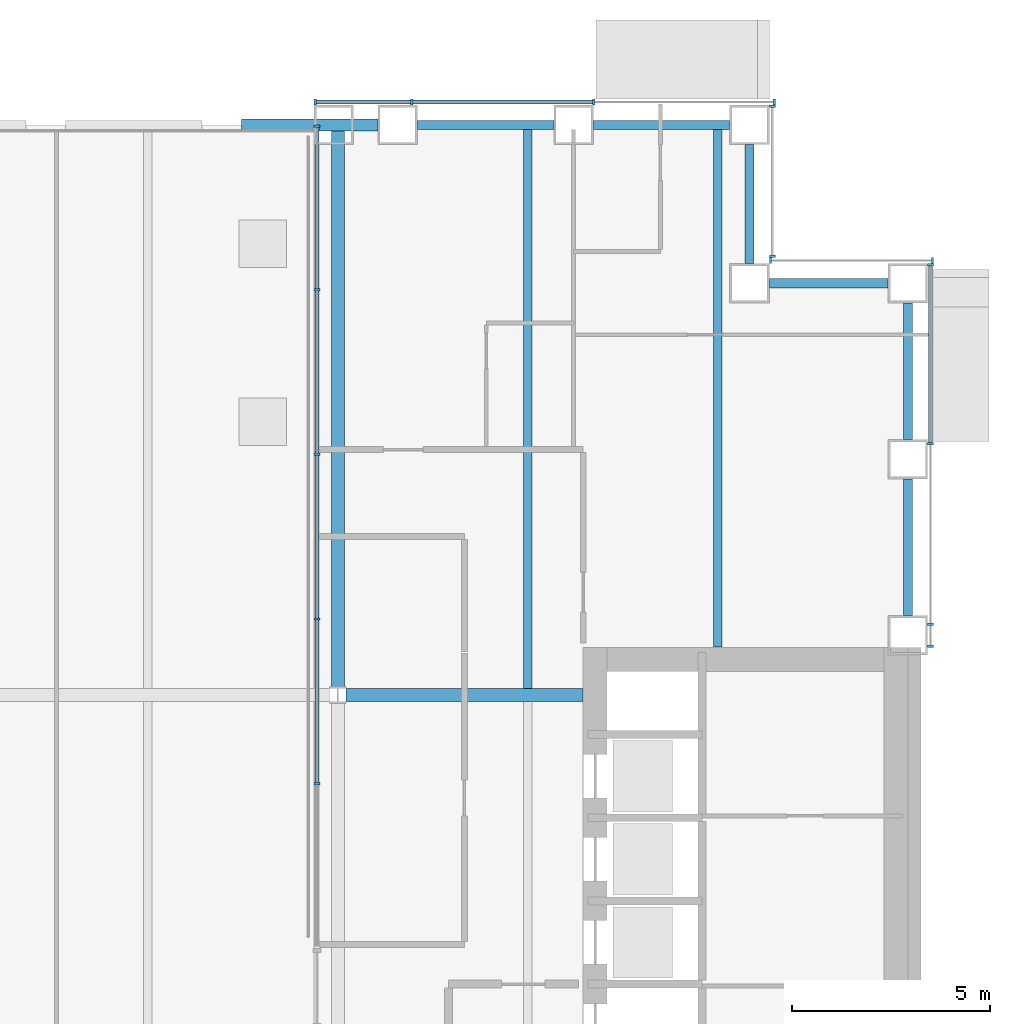
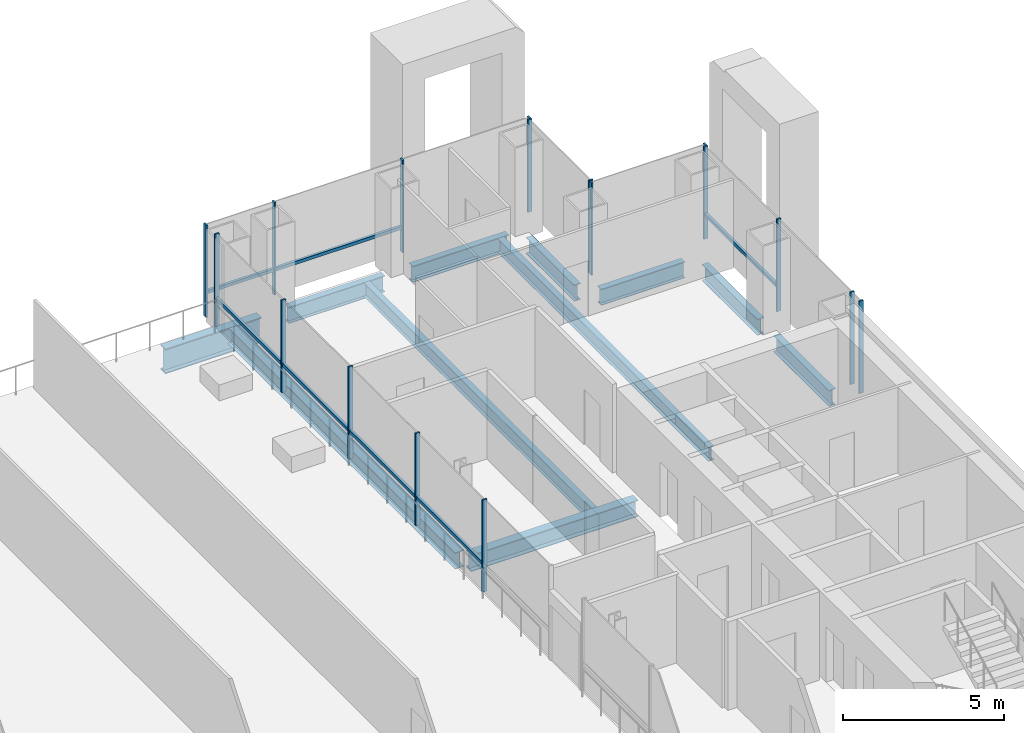
# One storey, part 10 of 24: 24 members, 11 beams, 5 elements without a shape of their own.
"""IFC4 building model written with IfcOpenShell, lengths in metres."""

import ifcopenshell
import ifcopenshell.guid

model = None  # the IFC model being written
_history = None  # IfcOwnerHistory: only IFC2X3 demands one
_inside = {}  # id of a spatial element -> (the spatial element, [elements in it])
_under = {}  # id of a project, library or spatial element -> (it, [spatial elements below it])
_declared = {}  # id of a project -> (the project, [libraries it declares])
_typed = {}  # id of a type object -> (the type object, [elements of that type])
_made_of = {}  # id of a material, layer set ... -> (it, [elements and type objects made of it])


def new_model(schema):
    """Start an empty IFC model of exactly this schema.

    Asked for "IFC4X3", IfcOpenShell would pick the latest addendum, in which some entities
    have other attributes; the version numbers below select the first issue.
    IFC2X3 requires an IfcOwnerHistory on every rooted entity: one is made here for all.
    """
    global model, _history
    if schema == "IFC4X3":
        model = ifcopenshell.file(schema_version=(4, 3, 0, 0))
    else:
        model = ifcopenshell.file(schema=schema)
    _inside.clear()
    _under.clear()
    _declared.clear()
    _typed.clear()
    _made_of.clear()
    _history = None
    if model.schema == "IFC2X3":
        org = make("IfcOrganization", Name="unknown")
        user = make(
            "IfcPersonAndOrganization",
            ThePerson=make("IfcPerson", FamilyName="unknown"),
            TheOrganization=org,
        )
        app = make(
            "IfcApplication",
            ApplicationDeveloper=org,
            Version="unknown",
            ApplicationFullName="unknown",
            ApplicationIdentifier="unknown",
        )
        _history = make(
            "IfcOwnerHistory",
            OwningUser=user,
            OwningApplication=app,
            ChangeAction="ADDED",
            CreationDate=0,
        )
    return model


def make(cls, **values):
    """One entity of the class cls with the attributes given. An attribute that is None is left unset."""
    return model.create_entity(
        cls, **{name: value for name, value in values.items() if value is not None}
    )


def rooted(cls, **values):
    """An entity with a GlobalId (a new one), such as an element, a storey or a relation."""
    return make(cls, GlobalId=ifcopenshell.guid.new(), OwnerHistory=_history, **values)


def si_unit(unit_type, name, prefix=None):
    """IfcSIUnit, for example si_unit("LENGTHUNIT", "METRE", prefix="MILLI")."""
    return make("IfcSIUnit", UnitType=unit_type, Prefix=prefix, Name=name)


def assignment(units):
    """IfcUnitAssignment: the units of a project."""
    return None if units is None else make("IfcUnitAssignment", Units=units)


def point(xyz):
    """IfcCartesianPoint."""
    return None if xyz is None else make("IfcCartesianPoint", Coordinates=xyz)


def direction(xyz):
    """IfcDirection."""
    return None if xyz is None else make("IfcDirection", DirectionRatios=xyz)


def frame(location, z_axis=None, x_axis=None):
    """IfcAxis2Placement3D, a coordinate frame: its origin and axes. An axis left out is left unset."""
    return make(
        "IfcAxis2Placement3D",
        Location=point(location),
        Axis=direction(z_axis),
        RefDirection=direction(x_axis),
    )


def frame_2d(location, x_axis=None):
    """IfcAxis2Placement2D, a coordinate frame in the plane: its origin and x axis."""
    return make(
        "IfcAxis2Placement2D", Location=point(location), RefDirection=direction(x_axis)
    )


def origin():
    """The frame at (0, 0, 0) with its axes left unset."""
    return frame((0.0, 0.0, 0.0))


def origin_2d():
    """The frame at (0, 0) in the plane with its x axis left unset."""
    return frame_2d((0.0, 0.0))


def place(relative_to, where):
    """IfcLocalPlacement: puts the frame where relative to a parent placement (None: the world)."""
    return make(
        "IfcLocalPlacement", PlacementRelTo=relative_to, RelativePlacement=where
    )


def context(
    kind, dimensions, precision=None, world=None, true_north=None, identifier=None
):
    """IfcGeometricRepresentationContext, for example the 3D "Model" context."""
    return make(
        "IfcGeometricRepresentationContext",
        ContextIdentifier=identifier,
        ContextType=kind,
        CoordinateSpaceDimension=dimensions,
        Precision=precision,
        WorldCoordinateSystem=world,
        TrueNorth=true_north,
    )


def subcontext(parent, identifier, kind, view, scale=None):
    """IfcGeometricRepresentationSubContext, for example "Body" below "Model"."""
    return make(
        "IfcGeometricRepresentationSubContext",
        ContextIdentifier=identifier,
        ContextType=kind,
        ParentContext=parent,
        TargetScale=scale,
        TargetView=view,
    )


def project(units=None, contexts=None):
    """IfcProject with its units and contexts."""
    return rooted(
        "IfcProject",
        Name="project",
        RepresentationContexts=contexts,
        UnitsInContext=assignment(units),
    )


def spatial(cls, under=None, at=None, **own):
    """A site, building, storey or space (cls), placed at a placement, below another one or the project."""
    s = rooted(cls, ObjectPlacement=at, **own)
    if under is not None:
        _under.setdefault(under.id(), (under, []))[1].append(s)
    return s


def profile(cls, at=None, kind="AREA", **sizes):
    """A parametric profile (cls). Its sizes go by their IFC names, for example OverallWidth=200.0."""
    return make(cls, ProfileType=kind, Position=at, **sizes)


def rectangle(**sizes):
    """IfcRectangleProfileDef."""
    return profile("IfcRectangleProfileDef", **sizes)


def i_section(**sizes):
    """IfcIShapeProfileDef."""
    return profile("IfcIShapeProfileDef", **sizes)


def extrude(swept, where, along, depth):
    """IfcExtrudedAreaSolid: the profile swept, set in the frame where, extruded along a direction by depth."""
    return make(
        "IfcExtrudedAreaSolid",
        SweptArea=swept,
        Position=where,
        ExtrudedDirection=direction(along),
        Depth=depth,
    )


def shape(context_of_items, identifier, shape_type, items):
    """IfcShapeRepresentation: the items that make up one representation, for example the "Body"."""
    return make(
        "IfcShapeRepresentation",
        ContextOfItems=context_of_items,
        RepresentationIdentifier=identifier,
        RepresentationType=shape_type,
        Items=items,
    )


def material(Name=None, Category=None):
    """IfcMaterial."""
    return make("IfcMaterial", Name=Name, Category=Category)


def material_profile(
    of_material, cross_section, Name=None, Category=None, Priority=None
):
    """IfcMaterialProfile: a cross section and its material."""
    return make(
        "IfcMaterialProfile",
        Name=Name,
        Material=of_material,
        Profile=cross_section,
        Priority=Priority,
        Category=Category,
    )


def profile_set(profiles, Name=None, composite=None):
    """IfcMaterialProfileSet."""
    return make(
        "IfcMaterialProfileSet",
        Name=Name,
        MaterialProfiles=profiles,
        CompositeProfile=composite,
    )


def made_of(thing, what):
    """Note that an element or type object is made of a material, layer set ...; save() writes the relation."""
    if what is not None:
        _made_of.setdefault(what.id(), (what, []))[1].append(thing)
    return thing


def type_object(cls, material=None, **own):
    """A type object (cls), such as IfcWallType, which elements share."""
    return made_of(rooted(cls, **own), material)


def element(
    cls,
    number,
    at=None,
    inside=None,
    cuts=None,
    type_object=None,
    material=None,
    context=None,
    identifier="Body",
    shape_type=None,
    held_by="IfcProductDefinitionShape",
    body=None,
    shapes=None,
    **own,
):
    """One element of the class cls, such as IfcWall. Its Tag is "e" and its number.

    at: its placement. inside: the storey or other place that contains it. cuts: it is an
    opening in that element (IfcRelVoidsElement). A single representation is given by context,
    identifier, shape_type and body (its items); several are given by shapes. held_by: the class
    of the entity that holds the representations. save() writes the other relations.
    """
    e = rooted(cls, Tag="e%d" % number, ObjectPlacement=at, **own)
    if body is not None:
        shapes = [shape(context, identifier, shape_type, body)]
    if shapes is not None:
        e.Representation = make(held_by, Representations=shapes)
    if inside is not None:
        _inside.setdefault(inside.id(), (inside, []))[1].append(e)
    if cuts is not None:
        rooted(
            "IfcRelVoidsElement", RelatingBuildingElement=cuts, RelatedOpeningElement=e
        )
    if type_object is not None:
        _typed.setdefault(type_object.id(), (type_object, []))[1].append(e)
    return made_of(e, material)


def aggregate(whole, parts):
    """IfcRelAggregates: a whole, such as a stair, and the parts it consists of."""
    return rooted("IfcRelAggregates", RelatingObject=whole, RelatedObjects=parts)


def save(model, path):
    """Write the relations noted so far, then the file.

    IfcRelAggregates (storeys below a building ...), IfcRelContainedInSpatialStructure (elements
    in a storey), IfcRelDefinesByType, IfcRelAssociatesMaterial and IfcRelDeclares: one each for
    every whole, place, type object, material and project.
    """
    for whole, parts in _under.values():
        aggregate(whole, parts)
    for where, things in _inside.values():
        rooted(
            "IfcRelContainedInSpatialStructure",
            RelatedElements=things,
            RelatingStructure=where,
        )
    for kind, things in _typed.values():
        rooted("IfcRelDefinesByType", RelatedObjects=things, RelatingType=kind)
    for what, things in _made_of.values():
        rooted("IfcRelAssociatesMaterial", RelatedObjects=things, RelatingMaterial=what)
    for by, libraries in _declared.values():
        rooted("IfcRelDeclares", RelatingContext=by, RelatedDefinitions=libraries)
    model.write(path)


model = new_model("IFC4")

# Units and contexts
model_context = context("Model", 3, precision=1e-05, world=origin(), true_north=direction((0.0, 1.0)))
body_context = subcontext(model_context, "Body", "Model", "MODEL_VIEW")
ifc_project = project(units=[si_unit("LENGTHUNIT", "METRE"), si_unit("AREAUNIT", "SQUARE_METRE"), si_unit("VOLUMEUNIT", "CUBIC_METRE"), si_unit("PLANEANGLEUNIT", "RADIAN"), si_unit("MASSUNIT", "GRAM", prefix="KILO")], contexts=[model_context])

# Site, building, storey
site_placement = place(None, origin())
site = spatial("IfcSite", under=ifc_project, at=site_placement, CompositionType="ELEMENT")
building_placement = place(site_placement, origin())
building = spatial("IfcBuilding", under=site, at=building_placement, Name="Cobrizo Arcos Hotel Tower", CompositionType="ELEMENT")
storey_placement = place(building_placement, frame((0.0, 0.0, 60.0)))
storey = spatial("IfcBuildingStorey", under=building, at=storey_placement, Name="L13", CompositionType="ELEMENT", Elevation=60.0)

# Curtain wall, members
ifc_material_1 = material(Name="Aluminium 6063-T6 anodised bronze", Category="aluminium")
curtain_wall_type_1 = type_object("IfcCurtainWallType", Name="CW-A guest facade", PredefinedType="NOTDEFINED", material=ifc_material_1)
curtain_wall_1_placement = place(storey_placement, origin())
curtain_wall_1 = element("IfcCurtainWall", 1, at=curtain_wall_1_placement, inside=storey, type_object=curtain_wall_type_1, Name="CW-A L13 E face", PredefinedType="NOTDEFINED")
ifc_material_profile_1 = material_profile(ifc_material_1, rectangle(XDim=0.14990234375, YDim=0.06005859375, at=origin_2d()), Name="CW-A mullion 150x60")
ifc_profile_set_1 = profile_set([ifc_material_profile_1], Name="Aluminium 6063-T6 anodised bronze")
member_type_1 = type_object("IfcMemberType", Name="CW-A mullion 150x60", PredefinedType="MULLION", material=ifc_profile_set_1)
member_1_placement = place(storey_placement, frame((24.574951171875, 10.830078125, 0.0), z_axis=(0.0, 0.0, 1.0), x_axis=(1.0, 0.0, 0.0)))
member_1 = element("IfcMember", 2, at=member_1_placement, type_object=member_type_1, Name="CW-A mullion 1", PredefinedType="MULLION", context=body_context, shape_type="SweptSolid", body=[
    extrude(rectangle(XDim=0.14990234375, YDim=0.06005859375, at=origin_2d()), origin(), (0.0, 0.0, 1.0), 3.5),
])
member_2_placement = place(storey_placement, frame((24.574951171875, 11.388916015625, 0.0), z_axis=(0.0, 0.0, 1.0), x_axis=(1.0, 0.0, 0.0)))
member_2 = element("IfcMember", 3, at=member_2_placement, type_object=member_type_1, Name="CW-A mullion 2", PredefinedType="MULLION", context=body_context, shape_type="SweptSolid", body=[
    extrude(rectangle(XDim=0.14990234375, YDim=0.06005859375, at=origin_2d()), origin(), (0.0, 0.0, 1.0), 3.5),
])
member_3_placement = place(storey_placement, frame((24.574951171875, 15.9443359375, 0.0), z_axis=(0.0, 0.0, 1.0), x_axis=(1.0, 0.0, 0.0)))
member_3 = element("IfcMember", 4, at=member_3_placement, type_object=member_type_1, Name="CW-A mullion 3", PredefinedType="MULLION", context=body_context, shape_type="SweptSolid", body=[
    extrude(rectangle(XDim=0.14990234375, YDim=0.06005859375, at=origin_2d()), origin(), (0.0, 0.0, 1.0), 3.5),
])
member_4_placement = place(storey_placement, frame((24.574951171875, 20.469970703125, 0.0), z_axis=(0.0, 0.0, 1.0), x_axis=(1.0, 0.0, 0.0)))
member_4 = element("IfcMember", 5, at=member_4_placement, type_object=member_type_1, Name="CW-A mullion 4", PredefinedType="MULLION", context=body_context, shape_type="SweptSolid", body=[
    extrude(rectangle(XDim=0.14990234375, YDim=0.06005859375, at=origin_2d()), origin(), (0.0, 0.0, 1.0), 3.5),
])

curtain_wall_2_placement = place(storey_placement, origin())
curtain_wall_2 = element("IfcCurtainWall", 6, at=curtain_wall_2_placement, inside=storey, type_object=curtain_wall_type_1, Name="CW-A L13 N face", PredefinedType="NOTDEFINED")
member_5_placement = place(storey_placement, frame((24.6201171875, 20.574951171875, 0.0), z_axis=(0.0, 0.0, 1.0), x_axis=(0.0, 1.0, 0.0)))
member_5 = element("IfcMember", 7, at=member_5_placement, type_object=member_type_1, Name="CW-A mullion 1", PredefinedType="MULLION", context=body_context, shape_type="SweptSolid", body=[
    extrude(rectangle(XDim=0.14990234375, YDim=0.06005859375, at=origin_2d()), origin(), (0.0, 0.0, 1.0), 3.5),
])
member_6_placement = place(storey_placement, frame((20.530029296875, 20.574951171875, 0.0), z_axis=(0.0, 0.0, 1.0), x_axis=(0.0, 1.0, 0.0)))
member_6 = element("IfcMember", 8, at=member_6_placement, type_object=member_type_1, Name="CW-A mullion 2", PredefinedType="MULLION", context=body_context, shape_type="SweptSolid", body=[
    extrude(rectangle(XDim=0.14990234375, YDim=0.06005859375, at=origin_2d()), origin(), (0.0, 0.0, 1.0), 3.5),
])
aggregate(curtain_wall_2, [member_5, member_6])

curtain_wall_3_placement = place(storey_placement, origin())
curtain_wall_3 = element("IfcCurtainWall", 9, at=curtain_wall_3_placement, inside=storey, type_object=curtain_wall_type_1, Name="CW-A L13 E face", PredefinedType="NOTDEFINED")
member_7_placement = place(storey_placement, frame((20.574951171875, 20.679931640625, 0.0), z_axis=(0.0, 0.0, 1.0), x_axis=(1.0, 0.0, 0.0)))
member_7 = element("IfcMember", 10, at=member_7_placement, type_object=member_type_1, Name="CW-A mullion 1", PredefinedType="MULLION", context=body_context, shape_type="SweptSolid", body=[
    extrude(rectangle(XDim=0.14990234375, YDim=0.06005859375, at=origin_2d()), origin(), (0.0, 0.0, 1.0), 3.5),
])
member_8_placement = place(storey_placement, frame((20.574951171875, 24.469970703125, 0.0), z_axis=(0.0, 0.0, 1.0), x_axis=(1.0, 0.0, 0.0)))
member_8 = element("IfcMember", 11, at=member_8_placement, type_object=member_type_1, Name="CW-A mullion 2", PredefinedType="MULLION", context=body_context, shape_type="SweptSolid", body=[
    extrude(rectangle(XDim=0.14990234375, YDim=0.06005859375, at=origin_2d()), origin(), (0.0, 0.0, 1.0), 3.5),
])
aggregate(curtain_wall_3, [member_7, member_8])

curtain_wall_4_placement = place(storey_placement, origin())
curtain_wall_4 = element("IfcCurtainWall", 12, at=curtain_wall_4_placement, inside=storey, type_object=curtain_wall_type_1, Name="CW-A L13 N face", PredefinedType="NOTDEFINED")
member_9_placement = place(storey_placement, frame((20.6201171875, 24.574951171875, 0.0), z_axis=(0.0, 0.0, 1.0), x_axis=(0.0, 1.0, 0.0)))
member_9 = element("IfcMember", 13, at=member_9_placement, type_object=member_type_1, Name="CW-A mullion 1", PredefinedType="MULLION", context=body_context, shape_type="SweptSolid", body=[
    extrude(rectangle(XDim=0.14990234375, YDim=0.06005859375, at=origin_2d()), origin(), (0.0, 0.0, 1.0), 3.5),
])
member_10_placement = place(storey_placement, frame((16.06103515625, 24.574951171875, 0.0), z_axis=(0.0, 0.0, 1.0), x_axis=(0.0, 1.0, 0.0)))
member_10 = element("IfcMember", 14, at=member_10_placement, type_object=member_type_1, Name="CW-A mullion 2", PredefinedType="MULLION", context=body_context, shape_type="SweptSolid", body=[
    extrude(rectangle(XDim=0.14990234375, YDim=0.06005859375, at=origin_2d()), origin(), (0.0, 0.0, 1.0), 3.5),
])
member_11_placement = place(storey_placement, frame((11.47216796875, 24.574951171875, 0.0), z_axis=(0.0, 0.0, 1.0), x_axis=(0.0, 1.0, 0.0)))
member_11 = element("IfcMember", 15, at=member_11_placement, type_object=member_type_1, Name="CW-A mullion 3", PredefinedType="MULLION", context=body_context, shape_type="SweptSolid", body=[
    extrude(rectangle(XDim=0.14990234375, YDim=0.06005859375, at=origin_2d()), origin(), (0.0, 0.0, 1.0), 3.5),
])
member_12_placement = place(storey_placement, frame((9.030029296875, 24.574951171875, 0.0), z_axis=(0.0, 0.0, 1.0), x_axis=(0.0, 1.0, 0.0)))
member_12 = element("IfcMember", 16, at=member_12_placement, type_object=member_type_1, Name="CW-A mullion 4", PredefinedType="MULLION", context=body_context, shape_type="SweptSolid", body=[
    extrude(rectangle(XDim=0.14990234375, YDim=0.06005859375, at=origin_2d()), origin(), (0.0, 0.0, 1.0), 3.5),
])

# Member
ifc_material_profile_2 = material_profile(ifc_material_1, rectangle(XDim=0.10009765625, YDim=0.1201171875, at=origin_2d()), Name="CW-A transom 120x100")
ifc_profile_set_2 = profile_set([ifc_material_profile_2], Name="Aluminium 6063-T6 anodised bronze")
member_type_2 = type_object("IfcMemberType", Name="CW-A transom 120x100", PredefinedType="USERDEFINED", material=ifc_profile_set_2)
member_13_placement = place(storey_placement, frame((24.574951171875, 15.974365234375, 0.929931640625), z_axis=(0.0, 1.0, 0.0), x_axis=(-1.0, 0.0, 0.0)))
member_13 = element("IfcMember", 17, at=member_13_placement, type_object=member_type_2, Name="CW-A transom 602", ObjectType="TRANSOM", PredefinedType="USERDEFINED", context=body_context, shape_type="SweptSolid", body=[
    extrude(rectangle(XDim=0.10009765625, YDim=0.1201171875, at=origin_2d()), origin(), (0.0, 0.0, 1.0), 4.465576171875),
])

aggregate(curtain_wall_1, [member_1, member_2, member_3, member_4, member_13])

member_14_placement = place(storey_placement, frame((16.031005859375, 24.574951171875, 0.929931640625), z_axis=(-1.0, 0.0, 0.0), x_axis=(0.0, -1.0, 0.0)))
member_14 = element("IfcMember", 18, at=member_14_placement, type_object=member_type_2, Name="CW-A transom 606", ObjectType="TRANSOM", PredefinedType="USERDEFINED", context=body_context, shape_type="SweptSolid", body=[
    extrude(rectangle(XDim=0.10009765625, YDim=0.1201171875, at=origin_2d()), origin(), (0.0, 0.0, 1.0), 4.52880859375),
])

member_15_placement = place(storey_placement, frame((11.442138671875, 24.574951171875, 0.929931640625), z_axis=(-1.0, 0.0, 0.0), x_axis=(0.0, -1.0, 0.0)))
member_15 = element("IfcMember", 19, at=member_15_placement, type_object=member_type_2, Name="CW-A transom 607", ObjectType="TRANSOM", PredefinedType="USERDEFINED", context=body_context, shape_type="SweptSolid", body=[
    extrude(rectangle(XDim=0.10009765625, YDim=0.1201171875, at=origin_2d()), origin(), (0.0, 0.0, 1.0), 2.382080078125),
])

aggregate(curtain_wall_4, [member_9, member_10, member_11, member_12, member_14, member_15])

# Curtain wall, members
curtain_wall_type_2 = type_object("IfcCurtainWallType", Name="CW-F void screen", PredefinedType="NOTDEFINED", material=ifc_material_1)
curtain_wall_5_placement = place(storey_placement, origin())
curtain_wall_5 = element("IfcCurtainWall", 20, at=curtain_wall_5_placement, inside=storey, type_object=curtain_wall_type_2, Name="CW-F L13 void screen A", PredefinedType="NOTDEFINED")
ifc_material_profile_3 = material_profile(ifc_material_1, rectangle(XDim=0.14990234375, YDim=0.06005859375, at=origin_2d()), Name="CW-F mullion 150x60")
ifc_profile_set_3 = profile_set([ifc_material_profile_3], Name="Aluminium 6063-T6 anodised bronze")
member_type_3 = type_object("IfcMemberType", Name="CW-F mullion 150x60", PredefinedType="MULLION", material=ifc_profile_set_3)
member_16_placement = place(storey_placement, frame((9.074951171875, 7.360107421875, 0.0), z_axis=(0.0, 0.0, 1.0), x_axis=(1.0, 0.0, 0.0)))
member_16 = element("IfcMember", 21, at=member_16_placement, type_object=member_type_3, Name="CW-F mullion 2", PredefinedType="MULLION", context=body_context, shape_type="SweptSolid", body=[
    extrude(rectangle(XDim=0.14990234375, YDim=0.06005859375, at=origin_2d()), origin(), (0.0, 0.0, 1.0), 3.5),
])
member_17_placement = place(storey_placement, frame((9.074951171875, 11.52001953125, 0.0), z_axis=(0.0, 0.0, 1.0), x_axis=(1.0, 0.0, 0.0)))
member_17 = element("IfcMember", 22, at=member_17_placement, type_object=member_type_3, Name="CW-F mullion 3", PredefinedType="MULLION", context=body_context, shape_type="SweptSolid", body=[
    extrude(rectangle(XDim=0.14990234375, YDim=0.06005859375, at=origin_2d()), origin(), (0.0, 0.0, 1.0), 3.5),
])
member_18_placement = place(storey_placement, frame((9.074951171875, 15.679931640625, 0.0), z_axis=(0.0, 0.0, 1.0), x_axis=(1.0, 0.0, 0.0)))
member_18 = element("IfcMember", 23, at=member_18_placement, type_object=member_type_3, Name="CW-F mullion 4", PredefinedType="MULLION", context=body_context, shape_type="SweptSolid", body=[
    extrude(rectangle(XDim=0.14990234375, YDim=0.06005859375, at=origin_2d()), origin(), (0.0, 0.0, 1.0), 3.5),
])
member_19_placement = place(storey_placement, frame((9.074951171875, 19.840087890625, 0.0), z_axis=(0.0, 0.0, 1.0), x_axis=(1.0, 0.0, 0.0)))
member_19 = element("IfcMember", 24, at=member_19_placement, type_object=member_type_3, Name="CW-F mullion 5", PredefinedType="MULLION", context=body_context, shape_type="SweptSolid", body=[
    extrude(rectangle(XDim=0.14990234375, YDim=0.06005859375, at=origin_2d()), origin(), (0.0, 0.0, 1.0), 3.5),
])
member_20_placement = place(storey_placement, frame((9.074951171875, 23.969970703125, 0.0), z_axis=(0.0, 0.0, 1.0), x_axis=(1.0, 0.0, 0.0)))
member_20 = element("IfcMember", 25, at=member_20_placement, type_object=member_type_3, Name="CW-F mullion 6", PredefinedType="MULLION", context=body_context, shape_type="SweptSolid", body=[
    extrude(rectangle(XDim=0.14990234375, YDim=0.06005859375, at=origin_2d()), origin(), (0.0, 0.0, 1.0), 3.5),
])
ifc_material_profile_4 = material_profile(ifc_material_1, rectangle(XDim=0.10009765625, YDim=0.1201171875, at=origin_2d()), Name="CW-F transom 120x100")
ifc_profile_set_4 = profile_set([ifc_material_profile_4], Name="Aluminium 6063-T6 anodised bronze")
member_type_4 = type_object("IfcMemberType", Name="CW-F transom 120x100", PredefinedType="USERDEFINED", material=ifc_profile_set_4)
member_21_placement = place(storey_placement, frame((9.074951171875, 7.389892578125, 1.050048828125), z_axis=(0.0, 1.0, 0.0), x_axis=(-1.0, 0.0, 0.0)))
member_21 = element("IfcMember", 26, at=member_21_placement, type_object=member_type_4, Name="CW-F transom 2433", ObjectType="TRANSOM", PredefinedType="USERDEFINED", context=body_context, shape_type="SweptSolid", body=[
    extrude(rectangle(XDim=0.10009765625, YDim=0.1201171875, at=origin_2d()), origin(), (0.0, 0.0, 1.0), 4.10009765625),
])
member_22_placement = place(storey_placement, frame((9.074951171875, 11.550048828125, 1.050048828125), z_axis=(0.0, 1.0, 0.0), x_axis=(-1.0, 0.0, 0.0)))
member_22 = element("IfcMember", 27, at=member_22_placement, type_object=member_type_4, Name="CW-F transom 2434", ObjectType="TRANSOM", PredefinedType="USERDEFINED", context=body_context, shape_type="SweptSolid", body=[
    extrude(rectangle(XDim=0.10009765625, YDim=0.1201171875, at=origin_2d()), origin(), (0.0, 0.0, 1.0), 4.099853515625),
])
member_23_placement = place(storey_placement, frame((9.074951171875, 15.7099609375, 1.050048828125), z_axis=(0.0, 1.0, 0.0), x_axis=(-1.0, 0.0, 0.0)))
member_23 = element("IfcMember", 28, at=member_23_placement, type_object=member_type_4, Name="CW-F transom 2435", ObjectType="TRANSOM", PredefinedType="USERDEFINED", context=body_context, shape_type="SweptSolid", body=[
    extrude(rectangle(XDim=0.10009765625, YDim=0.1201171875, at=origin_2d()), origin(), (0.0, 0.0, 1.0), 4.10009765625),
])
member_24_placement = place(storey_placement, frame((9.074951171875, 19.8701171875, 1.050048828125), z_axis=(0.0, 1.0, 0.0), x_axis=(-1.0, 0.0, 0.0)))
member_24 = element("IfcMember", 29, at=member_24_placement, type_object=member_type_4, Name="CW-F transom 2436", ObjectType="TRANSOM", PredefinedType="USERDEFINED", context=body_context, shape_type="SweptSolid", body=[
    extrude(rectangle(XDim=0.10009765625, YDim=0.1201171875, at=origin_2d()), origin(), (0.0, 0.0, 1.0), 4.06982421875),
])
aggregate(curtain_wall_5, [member_16, member_17, member_18, member_19, member_20, member_21, member_22, member_23, member_24])

# Beams
ifc_material_2 = material(Name="Steel ASTM A992 Grade 50", Category="steel")
ifc_material_profile_5 = material_profile(ifc_material_2, i_section(OverallWidth=0.209228515625, OverallDepth=0.533447265625, WebThickness=0.01025390625, FlangeThickness=0.015625, at=origin_2d()), Name="W21X62")
ifc_profile_set_5 = profile_set([ifc_material_profile_5], Name="Steel ASTM A992 Grade 50")
beam_type_1 = type_object("IfcBeamType", Name="W21X62 joist", PredefinedType="JOIST", material=ifc_profile_set_5)
beam_1_placement = place(storey_placement, frame((14.39990234375, 9.763916015625, -0.416748046875), z_axis=(0.0, 1.0, 0.0), x_axis=(-1.0, 0.0, 0.0)))
element("IfcBeam", 30, at=beam_1_placement, inside=storey, type_object=beam_type_1, Name="Floor joist J1, L13, no. 018", PredefinedType="JOIST", context=body_context, shape_type="SweptSolid", body=[
    extrude(i_section(OverallWidth=0.209228515625, OverallDepth=0.533447265625, WebThickness=0.01025390625, FlangeThickness=0.015625, at=origin_2d()), origin(), (0.0, 0.0, 1.0), 14.14599609375),
])
beam_2_placement = place(storey_placement, frame((19.199951171875, 10.81005859375, -0.416748046875), z_axis=(0.0, 1.0, 0.0), x_axis=(-1.0, 0.0, 0.0)))
element("IfcBeam", 31, at=beam_2_placement, inside=storey, type_object=beam_type_1, Name="Floor joist J1, L13, no. 020", PredefinedType="JOIST", context=body_context, shape_type="SweptSolid", body=[
    extrude(i_section(OverallWidth=0.209228515625, OverallDepth=0.533447265625, WebThickness=0.01025390625, FlangeThickness=0.015625, at=origin_2d()), origin(), (0.0, 0.0, 1.0), 13.099853515625),
])
ifc_material_profile_6 = material_profile(ifc_material_2, i_section(OverallWidth=0.32763671875, OverallDepth=0.622314453125, WebThickness=0.015380859375, FlangeThickness=0.0244140625, at=origin_2d()), Name="W24X131")
ifc_profile_set_6 = profile_set([ifc_material_profile_6], Name="Steel ASTM A992 Grade 50")
beam_type_2 = type_object("IfcBeamType", Name="W24X131 girder", PredefinedType="BEAM", material=ifc_profile_set_6)
beam_3_placement = place(storey_placement, frame((9.804443359375, 9.60009765625, -0.461181640625), z_axis=(1.0, 0.0, 0.0), x_axis=(0.0, 1.0, 0.0)))
element("IfcBeam", 32, at=beam_3_placement, inside=storey, type_object=beam_type_2, Name="Floor girder G1, L13, no. 012", PredefinedType="BEAM", context=body_context, shape_type="SweptSolid", body=[
    extrude(i_section(OverallWidth=0.32763671875, OverallDepth=0.622314453125, WebThickness=0.015380859375, FlangeThickness=0.0244140625, at=origin_2d()), origin(), (0.0, 0.0, 1.0), 5.985595703125),
])
beam_4_placement = place(storey_placement, frame((9.60009765625, 9.804443359375, -0.461181640625), z_axis=(0.0, 1.0, 0.0), x_axis=(-1.0, 0.0, 0.0)))
element("IfcBeam", 33, at=beam_4_placement, inside=storey, type_object=beam_type_2, Name="Floor girder G1, L13, no. 024", PredefinedType="BEAM", context=body_context, shape_type="SweptSolid", body=[
    extrude(i_section(OverallWidth=0.32763671875, OverallDepth=0.622314453125, WebThickness=0.015380859375, FlangeThickness=0.0244140625, at=origin_2d()), origin(), (0.0, 0.0, 1.0), 14.10546875),
])
ifc_material_profile_7 = material_profile(ifc_material_2, i_section(OverallWidth=0.23046875, OverallDepth=0.6171875, WebThickness=0.01318359375, FlangeThickness=0.022216796875, at=origin_2d()), Name="W24X94")
ifc_profile_set_7 = profile_set([ifc_material_profile_7], Name="Steel ASTM A992 Grade 50")
beam_type_3 = type_object("IfcBeamType", Name="W24X94 spandrel", PredefinedType="SPANDREL", material=ifc_profile_set_7)
beam_5_placement = place(storey_placement, frame((24.0, 11.611083984375, -0.45849609375), z_axis=(0.0, 1.0, 0.0), x_axis=(-1.0, 0.0, 0.0)))
element("IfcBeam", 34, at=beam_5_placement, inside=storey, type_object=beam_type_3, Name="Spandrel beam W24X94, L13, no. 012", PredefinedType="SPANDREL", context=body_context, shape_type="SweptSolid", body=[
    extrude(i_section(OverallWidth=0.23046875, OverallDepth=0.6171875, WebThickness=0.01318359375, FlangeThickness=0.022216796875, at=origin_2d()), origin(), (0.0, 0.0, 1.0), 3.44482421875),
])
beam_6_placement = place(storey_placement, frame((24.0, 16.055908203125, -0.45849609375), z_axis=(0.0, 1.0, 0.0), x_axis=(-1.0, 0.0, 0.0)))
element("IfcBeam", 35, at=beam_6_placement, inside=storey, type_object=beam_type_3, Name="Spandrel beam W24X94, L13, no. 013", PredefinedType="SPANDREL", context=body_context, shape_type="SweptSolid", body=[
    extrude(i_section(OverallWidth=0.23046875, OverallDepth=0.6171875, WebThickness=0.01318359375, FlangeThickness=0.022216796875, at=origin_2d()), origin(), (0.0, 0.0, 1.0), 3.444091796875),
])
for number, where, z_axis, x_axis, name in (
    (36, (23.5, 20.0, -0.45849609375), (-1.0, 0.0, 0.0), (0.0, -1.0, 0.0), "Spandrel beam W24X94, L13, no. 014"),
    (37, (20.0, 20.5, -0.45849609375), (0.0, 1.0, 0.0), (-1.0, 0.0, 0.0), "Spandrel beam W24X94, L13, no. 015"),
):
    element("IfcBeam", number, at=place(storey_placement, frame(where, z_axis=z_axis, x_axis=x_axis)), inside=storey, type_object=beam_type_3, Name=name, PredefinedType="SPANDREL", context=body_context, shape_type="SweptSolid", body=[
        extrude(i_section(OverallWidth=0.23046875, OverallDepth=0.6171875, WebThickness=0.01318359375, FlangeThickness=0.022216796875, at=origin_2d()), origin(), (0.0, 0.0, 1.0), 3.0),
    ])
beam_7_placement = place(storey_placement, frame((19.5, 24.0, -0.45849609375), z_axis=(-1.0, 0.0, 0.0), x_axis=(0.0, -1.0, 0.0)))
element("IfcBeam", 38, at=beam_7_placement, inside=storey, type_object=beam_type_3, Name="Spandrel beam W24X94, L13, no. 016", PredefinedType="SPANDREL", context=body_context, shape_type="SweptSolid", body=[
    extrude(i_section(OverallWidth=0.23046875, OverallDepth=0.6171875, WebThickness=0.01318359375, FlangeThickness=0.022216796875, at=origin_2d()), origin(), (0.0, 0.0, 1.0), 3.444091796875),
])
beam_8_placement = place(storey_placement, frame((15.055908203125, 24.0, -0.45849609375), z_axis=(-1.0, 0.0, 0.0), x_axis=(0.0, -1.0, 0.0)))
element("IfcBeam", 39, at=beam_8_placement, inside=storey, type_object=beam_type_3, Name="Spandrel beam W24X94, L13, no. 017", PredefinedType="SPANDREL", context=body_context, shape_type="SweptSolid", body=[
    extrude(i_section(OverallWidth=0.23046875, OverallDepth=0.6171875, WebThickness=0.01318359375, FlangeThickness=0.022216796875, at=origin_2d()), origin(), (0.0, 0.0, 1.0), 3.44482421875),
])
ifc_material_profile_8 = material_profile(ifc_material_2, i_section(OverallWidth=0.307373046875, OverallDepth=0.9423828125, WebThickness=0.022216796875, FlangeThickness=0.039794921875, at=origin_2d()), Name="W36X232")
ifc_profile_set_8 = profile_set([ifc_material_profile_8], Name="Steel ASTM A992 Grade 50")
beam_type_4 = type_object("IfcBeamType", Name="W36X232 spandrel transfer", PredefinedType="BEAM", material=ifc_profile_set_8)
beam_9_placement = place(storey_placement, frame((10.611083984375, 24.0, -0.62109375), z_axis=(-1.0, 0.0, 0.0), x_axis=(0.0, -1.0, 0.0)))
element("IfcBeam", 40, at=beam_9_placement, inside=storey, type_object=beam_type_4, Name="Spandrel transfer beam ST1, L13, no. 003", PredefinedType="BEAM", context=body_context, shape_type="SweptSolid", body=[
    extrude(i_section(OverallWidth=0.307373046875, OverallDepth=0.9423828125, WebThickness=0.022216796875, FlangeThickness=0.039794921875, at=origin_2d()), origin(), (0.0, 0.0, 1.0), 3.444091796875),
])

save(model, "model.ifc")
